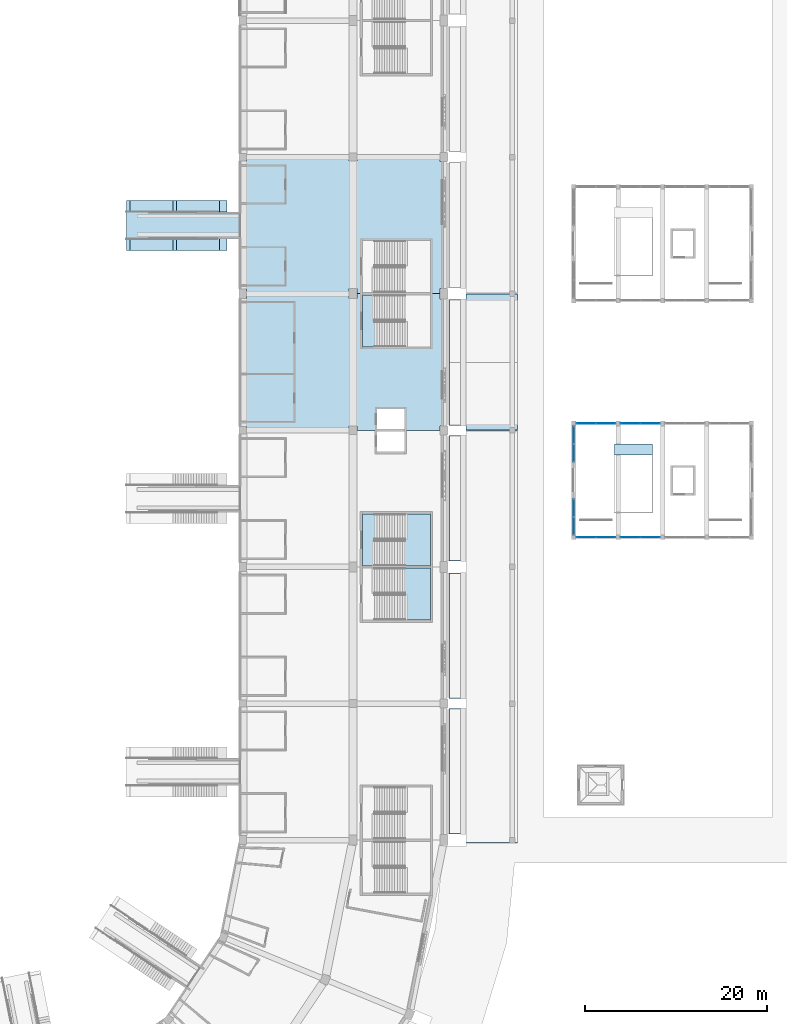
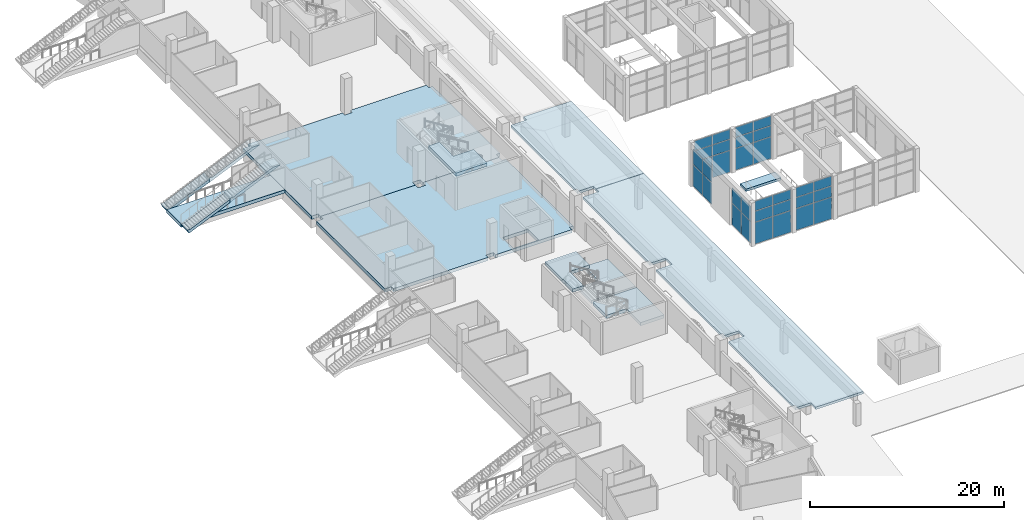
# One storey, part 18 of 175: 32 plates, 14 slabs, 9 elements without a shape of their own.
"""IFC4 building model written with IfcOpenShell, lengths in metres."""

from ifc_helpers import new_model, si_unit, direction, frame, origin, origin_2d, place, context, subcontext, project, spatial, polyline, rectangle, outline, extrude, material, layer, layer_set, type_object, element, aggregate, save


model = new_model("IFC4")

# Units and contexts
model_context = context("Model", 3, precision=1e-05, world=origin(), true_north=direction((0.0, 1.0)))
body_context = subcontext(model_context, "Body", "Model", "MODEL_VIEW")
ifc_project = project(units=[si_unit("LENGTHUNIT", "METRE"), si_unit("AREAUNIT", "SQUARE_METRE"), si_unit("VOLUMEUNIT", "CUBIC_METRE"), si_unit("PLANEANGLEUNIT", "RADIAN"), si_unit("MASSUNIT", "GRAM", prefix="KILO")], contexts=[model_context])

# Site, building, storey
site_placement = place(None, origin())
site = spatial("IfcSite", under=ifc_project, at=site_placement, CompositionType="ELEMENT")
building_placement = place(site_placement, origin())
building = spatial("IfcBuilding", under=site, at=building_placement, Name="Ogive Plaza Stadium", CompositionType="ELEMENT")
storey_placement = place(building_placement, origin())
storey = spatial("IfcBuildingStorey", under=building, at=storey_placement, Name="L00", CompositionType="ELEMENT", Elevation=0.0)

# Slabs
ifc_material_1 = material(Name="Concrete C40/50", Category="concrete")
ifc_layer_1 = layer(ifc_material_1, 0.52587890625)
ifc_layer_set_1 = layer_set([ifc_layer_1], Name="Concrete C40/50")
ifc_layer_2 = layer(ifc_material_1, 0.449951171875)
ifc_layer_set_2 = layer_set([ifc_layer_2], Name="Concrete C40/50")
slab_type_1 = type_object("IfcSlabType", Name="Aisle stair slab 1300", PredefinedType="USERDEFINED", material=ifc_layer_set_2)
slab_1_placement = place(storey_placement, frame((49.14990234375, 12.874755859375, 0.0), z_axis=(0.0, 0.0, 1.0), x_axis=(1.0, 0.0, 0.0)))
element("IfcSlab", 1, at=slab_1_placement, inside=storey, type_object=slab_type_1, material=ifc_layer_set_1, Name="Aisle stair SA03L slab 1", ObjectType="AISLE STAIR SLAB", PredefinedType="USERDEFINED", context=body_context, shape_type="SweptSolid", body=[
    extrude(outline(polyline([(0.0, 0.0), (0.37158203125, 0.0), (5.10009765625, 2.086181640625), (5.10009765625, 1.675048828125), (5.01220703125, 1.63623046875), (4.8623046875, 1.570068359375), (4.71240234375, 1.50390625), (4.562255859375, 1.437744140625), (4.412353515625, 1.37158203125), (4.26220703125, 1.305419921875), (4.1123046875, 1.2392578125), (3.96240234375, 1.173095703125), (3.812255859375, 1.10693359375), (3.662353515625, 1.040771484375), (3.51220703125, 0.974609375), (3.3623046875, 0.908447265625), (3.21240234375, 0.84228515625), (3.062255859375, 0.77587890625), (2.912353515625, 0.709716796875), (2.76220703125, 0.643798828125), (2.6123046875, 0.577392578125), (2.46240234375, 0.51123046875), (2.312255859375, 0.445068359375), (2.162353515625, 0.37890625), (2.01220703125, 0.312744140625), (1.8623046875, 0.24658203125), (1.71240234375, 0.180419921875), (1.562255859375, 0.1142578125), (1.412353515625, 0.048095703125), (1.26220703125, -0.01806640625), (1.1123046875, -0.084228515625), (0.96240234375, -0.150390625), (0.812255859375, -0.216552734375), (0.662353515625, -0.28271484375), (0.51220703125, -0.34912109375), (0.3623046875, -0.415283203125), (0.21240234375, -0.481201171875), (0.0, 0.0)])), frame((0.0, 0.624755859375, 0.0), z_axis=(0.0, -1.0, 0.0), x_axis=(1.0, 0.0, 0.0)), (0.0, 0.0, 1.0), 1.24951171875),
])
ifc_layer_3 = layer(ifc_material_1, 0.82373046875)
ifc_layer_set_3 = layer_set([ifc_layer_3], Name="Concrete C40/50")
slab_2_placement = place(storey_placement, frame((54.25, 12.89990234375, 0.0), z_axis=(0.0, 0.0, 1.0), x_axis=(1.0, 0.0, 0.0)))
element("IfcSlab", 2, at=slab_2_placement, inside=storey, type_object=slab_type_1, material=ifc_layer_set_3, Name="Aisle stair SA03L slab 2", ObjectType="AISLE STAIR SLAB", PredefinedType="USERDEFINED", context=body_context, shape_type="SweptSolid", body=[
    extrude(outline(polyline([(0.0, 2.25), (0.37158203125, 2.25), (5.10009765625, 4.336181640625), (5.949951171875, 4.336181640625), (5.949951171875, 4.300048828125), (5.85009765625, 4.255859375), (5.699951171875, 4.189697265625), (5.550048828125, 4.12353515625), (5.39990234375, 4.057373046875), (5.25, 3.9912109375), (5.10009765625, 3.925048828125), (4.949951171875, 3.85888671875), (4.800048828125, 3.79248046875), (4.64990234375, 3.7265625), (4.5, 3.660400390625), (4.35009765625, 3.593994140625), (4.199951171875, 3.52783203125), (4.050048828125, 3.4619140625), (3.89990234375, 3.3955078125), (3.75, 3.329345703125), (3.60009765625, 3.26318359375), (3.449951171875, 3.197021484375), (3.300048828125, 3.130859375), (3.14990234375, 3.064697265625), (3.0, 2.99853515625), (2.85009765625, 2.932373046875), (2.699951171875, 2.8662109375), (2.550048828125, 2.800048828125), (2.39990234375, 2.73388671875), (2.25, 2.66748046875), (2.10009765625, 2.6015625), (1.949951171875, 2.535400390625), (1.800048828125, 2.468994140625), (1.64990234375, 2.40283203125), (1.5, 2.3369140625), (1.35009765625, 2.2705078125), (1.199951171875, 2.204345703125), (1.050048828125, 2.13818359375), (0.89990234375, 2.072021484375), (0.75, 2.005859375), (0.60009765625, 1.939697265625), (0.449951171875, 1.87353515625), (0.300048828125, 1.807373046875), (0.14990234375, 1.7412109375), (0.0, 1.675048828125), (0.0, 2.25)])), frame((0.0, 0.64990234375, 0.0), z_axis=(0.0, -1.0, 0.0), x_axis=(1.0, 0.0, 0.0)), (0.0, 0.0, 1.0), 1.300048828125),
])
slab_3_placement = place(storey_placement, frame((49.14990234375, 17.125244140625, 0.0), z_axis=(0.0, 0.0, 1.0), x_axis=(1.0, 0.0, 0.0)))
element("IfcSlab", 3, at=slab_3_placement, inside=storey, type_object=slab_type_1, material=ifc_layer_set_1, Name="Aisle stair SA03R slab 1", ObjectType="AISLE STAIR SLAB", PredefinedType="USERDEFINED", context=body_context, shape_type="SweptSolid", body=[
    extrude(outline(polyline([(0.0, 0.0), (0.37158203125, 0.0), (5.10009765625, 2.086181640625), (5.10009765625, 1.675048828125), (5.01220703125, 1.63623046875), (4.8623046875, 1.570068359375), (4.71240234375, 1.50390625), (4.562255859375, 1.437744140625), (4.412353515625, 1.37158203125), (4.26220703125, 1.305419921875), (4.1123046875, 1.2392578125), (3.96240234375, 1.173095703125), (3.812255859375, 1.10693359375), (3.662353515625, 1.040771484375), (3.51220703125, 0.974609375), (3.3623046875, 0.908447265625), (3.21240234375, 0.84228515625), (3.062255859375, 0.77587890625), (2.912353515625, 0.709716796875), (2.76220703125, 0.643798828125), (2.6123046875, 0.577392578125), (2.46240234375, 0.51123046875), (2.312255859375, 0.445068359375), (2.162353515625, 0.37890625), (2.01220703125, 0.312744140625), (1.8623046875, 0.24658203125), (1.71240234375, 0.180419921875), (1.562255859375, 0.1142578125), (1.412353515625, 0.048095703125), (1.26220703125, -0.01806640625), (1.1123046875, -0.084228515625), (0.96240234375, -0.150390625), (0.812255859375, -0.216552734375), (0.662353515625, -0.28271484375), (0.51220703125, -0.34912109375), (0.3623046875, -0.415283203125), (0.21240234375, -0.481201171875), (0.0, 0.0)])), frame((0.0, 0.624755859375, 0.0), z_axis=(0.0, -1.0, 0.0), x_axis=(1.0, 0.0, 0.0)), (0.0, 0.0, 1.0), 1.24951171875),
])
slab_4_placement = place(storey_placement, frame((54.25, 17.10009765625, 0.0), z_axis=(0.0, 0.0, 1.0), x_axis=(1.0, 0.0, 0.0)))
element("IfcSlab", 4, at=slab_4_placement, inside=storey, type_object=slab_type_1, material=ifc_layer_set_3, Name="Aisle stair SA03R slab 2", ObjectType="AISLE STAIR SLAB", PredefinedType="USERDEFINED", context=body_context, shape_type="SweptSolid", body=[
    extrude(outline(polyline([(0.0, 2.25), (0.37158203125, 2.25), (5.10009765625, 4.336181640625), (5.949951171875, 4.336181640625), (5.949951171875, 4.300048828125), (5.85009765625, 4.255859375), (5.699951171875, 4.189697265625), (5.550048828125, 4.12353515625), (5.39990234375, 4.057373046875), (5.25, 3.9912109375), (5.10009765625, 3.925048828125), (4.949951171875, 3.85888671875), (4.800048828125, 3.79248046875), (4.64990234375, 3.7265625), (4.5, 3.660400390625), (4.35009765625, 3.593994140625), (4.199951171875, 3.52783203125), (4.050048828125, 3.4619140625), (3.89990234375, 3.3955078125), (3.75, 3.329345703125), (3.60009765625, 3.26318359375), (3.449951171875, 3.197021484375), (3.300048828125, 3.130859375), (3.14990234375, 3.064697265625), (3.0, 2.99853515625), (2.85009765625, 2.932373046875), (2.699951171875, 2.8662109375), (2.550048828125, 2.800048828125), (2.39990234375, 2.73388671875), (2.25, 2.66748046875), (2.10009765625, 2.6015625), (1.949951171875, 2.535400390625), (1.800048828125, 2.468994140625), (1.64990234375, 2.40283203125), (1.5, 2.3369140625), (1.35009765625, 2.2705078125), (1.199951171875, 2.204345703125), (1.050048828125, 2.13818359375), (0.89990234375, 2.072021484375), (0.75, 2.005859375), (0.60009765625, 1.939697265625), (0.449951171875, 1.87353515625), (0.300048828125, 1.807373046875), (0.14990234375, 1.7412109375), (0.0, 1.675048828125), (0.0, 2.25)])), frame((0.0, 0.64990234375, 0.0), z_axis=(0.0, -1.0, 0.0), x_axis=(1.0, 0.0, 0.0)), (0.0, 0.0, 1.0), 1.300048828125),
])
ifc_material_2 = material(Name="Concrete C40/50", Category="concrete")
ifc_layer_4 = layer(ifc_material_2, 0.300048828125)
ifc_layer_set_4 = layer_set([ifc_layer_4], Name="Concrete C40/50")
slab_type_2 = type_object("IfcSlabType", Name="Arcade roof slab 300", PredefinedType="ROOF", material=ifc_layer_set_4)
slab_5_placement = place(storey_placement, frame((0.0, 0.0, 3.800048828125)))
element("IfcSlab", 5, at=slab_5_placement, inside=storey, type_object=slab_type_2, Name="Arcade roof slab 2", PredefinedType="ROOF", context=body_context, shape_type="SweptSolid", body=[
    extrude(outline(polyline([(84.550048828125, -51.85009765625), (86.419921875, -51.85009765625), (86.419921875, -52.800048828125), (92.10009765625, -52.800048828125), (92.10009765625, -7.510009765625), (86.419921875, -7.510009765625), (86.419921875, -8.050048828125), (84.550048828125, -8.050048828125), (84.550048828125, -21.85009765625), (86.419921875, -21.85009765625), (86.419921875, -23.14990234375), (84.550048828125, -23.14990234375), (84.550048828125, -36.949951171875), (86.419921875, -36.949951171875), (86.419921875, -38.050048828125), (84.550048828125, -38.050048828125), (84.550048828125, -51.85009765625)])), origin(), (0.0, 0.0, 1.0), 0.300048828125),
])
ifc_material_3 = material(Name="Concrete C40/50", Category="concrete")
ifc_layer_5 = layer(ifc_material_3, 0.300048828125)
ifc_layer_set_5 = layer_set([ifc_layer_5], Name="Concrete C40/50")
slab_type_3 = type_object("IfcSlabType", Name="Escalator landing plate 300", PredefinedType="LANDING", material=ifc_layer_set_5)
slab_6_placement = place(storey_placement, frame((0.0, 0.0, -0.300048828125)))
element("IfcSlab", 6, at=slab_6_placement, inside=storey, type_object=slab_type_3, Name="Escalator landing plate", PredefinedType="LANDING", context=body_context, shape_type="SweptSolid", body=[
    extrude(outline(polyline([(102.699951171875, -10.199951171875), (106.89990234375, -10.199951171875), (106.89990234375, -9.0), (102.699951171875, -9.0), (102.699951171875, -10.199951171875)])), origin(), (0.0, 0.0, 1.0), 0.300048828125),
])

# Curtain wall, plates
ifc_material_4 = material(Name="Aluminium and laminated glass", Category="aluminium")
curtain_wall_type = type_object("IfcCurtainWallType", Name="Headhouse curtain wall", PredefinedType="NOTDEFINED", material=ifc_material_4)
curtain_wall_1_placement = place(storey_placement, origin())
curtain_wall_1 = element("IfcCurtainWall", 7, at=curtain_wall_1_placement, inside=storey, type_object=curtain_wall_type, Name="Headhouse 1 curtain wall", PredefinedType="NOTDEFINED")
ifc_material_5 = material(Name="Laminated glass", Category="glass")
ifc_layer_6 = layer(ifc_material_5, 0.028076171875)
ifc_layer_set_6 = layer_set([ifc_layer_6], Name="Headhouse glass panel 28")
plate_type = type_object("IfcPlateType", Name="Headhouse glass panel 28", PredefinedType="CURTAIN_PANEL", material=ifc_layer_set_6)
plate_1_placement = place(storey_placement, frame((99.608642578125, -19.25, 0.06005859375), z_axis=(0.0, 0.0, 1.0), x_axis=(1.0, 0.0, 0.0)))
plate_1 = element("IfcPlate", 8, at=plate_1_placement, type_object=plate_type, Name="HCW1A panel 1.1", PredefinedType="CURTAIN_PANEL", context=body_context, shape_type="SweptSolid", body=[
    extrude(rectangle(XDim=2.097412109375, YDim=0.028076171875, at=origin_2d()), origin(), (0.0, 0.0, 1.0), 2.7099609375),
])
plate_2_placement = place(storey_placement, frame((99.608642578125, -19.25, 2.830078125), z_axis=(0.0, 0.0, 1.0), x_axis=(1.0, 0.0, 0.0)))
plate_2 = element("IfcPlate", 9, at=plate_2_placement, type_object=plate_type, Name="HCW1A panel 1.2", PredefinedType="CURTAIN_PANEL", context=body_context, shape_type="SweptSolid", body=[
    extrude(rectangle(XDim=2.097412109375, YDim=0.028076171875, at=origin_2d()), origin(), (0.0, 0.0, 1.0), 1.340087890625),
])
plate_3_placement = place(storey_placement, frame((99.608642578125, -19.25, 4.22998046875), z_axis=(0.0, 0.0, 1.0), x_axis=(1.0, 0.0, 0.0)))
plate_3 = element("IfcPlate", 10, at=plate_3_placement, type_object=plate_type, Name="HCW1A panel 1.3", PredefinedType="CURTAIN_PANEL", context=body_context, shape_type="SweptSolid", body=[
    extrude(rectangle(XDim=2.097412109375, YDim=0.028076171875, at=origin_2d()), origin(), (0.0, 0.0, 1.0), 1.2099609375),
])
plate_4_placement = place(storey_placement, frame((101.766357421875, -19.25, 0.06005859375), z_axis=(0.0, 0.0, 1.0), x_axis=(1.0, 0.0, 0.0)))
plate_4 = element("IfcPlate", 11, at=plate_4_placement, type_object=plate_type, Name="HCW1A panel 2.1", PredefinedType="CURTAIN_PANEL", context=body_context, shape_type="SweptSolid", body=[
    extrude(rectangle(XDim=2.097412109375, YDim=0.028076171875, at=origin_2d()), origin(), (0.0, 0.0, 1.0), 2.7099609375),
])
plate_5_placement = place(storey_placement, frame((101.766357421875, -19.25, 2.830078125), z_axis=(0.0, 0.0, 1.0), x_axis=(1.0, 0.0, 0.0)))
plate_5 = element("IfcPlate", 12, at=plate_5_placement, type_object=plate_type, Name="HCW1A panel 2.2", PredefinedType="CURTAIN_PANEL", context=body_context, shape_type="SweptSolid", body=[
    extrude(rectangle(XDim=2.097412109375, YDim=0.028076171875, at=origin_2d()), origin(), (0.0, 0.0, 1.0), 1.340087890625),
])
plate_6_placement = place(storey_placement, frame((101.766357421875, -19.25, 4.22998046875), z_axis=(0.0, 0.0, 1.0), x_axis=(1.0, 0.0, 0.0)))
plate_6 = element("IfcPlate", 13, at=plate_6_placement, type_object=plate_type, Name="HCW1A panel 2.3", PredefinedType="CURTAIN_PANEL", context=body_context, shape_type="SweptSolid", body=[
    extrude(rectangle(XDim=2.097412109375, YDim=0.028076171875, at=origin_2d()), origin(), (0.0, 0.0, 1.0), 1.2099609375),
])
aggregate(curtain_wall_1, [plate_1, plate_2, plate_3, plate_4, plate_5, plate_6])

curtain_wall_2_placement = place(storey_placement, origin())
curtain_wall_2 = element("IfcCurtainWall", 14, at=curtain_wall_2_placement, inside=storey, type_object=curtain_wall_type, Name="Headhouse 1 curtain wall", PredefinedType="NOTDEFINED")
plate_7_placement = place(storey_placement, frame((104.483642578125, -19.25, 0.06005859375), z_axis=(0.0, 0.0, 1.0), x_axis=(1.0, 0.0, 0.0)))
plate_7 = element("IfcPlate", 15, at=plate_7_placement, type_object=plate_type, Name="HCW1A panel 1.1", PredefinedType="CURTAIN_PANEL", context=body_context, shape_type="SweptSolid", body=[
    extrude(rectangle(XDim=2.097412109375, YDim=0.028076171875, at=origin_2d()), origin(), (0.0, 0.0, 1.0), 2.7099609375),
])
plate_8_placement = place(storey_placement, frame((104.483642578125, -19.25, 2.830078125), z_axis=(0.0, 0.0, 1.0), x_axis=(1.0, 0.0, 0.0)))
plate_8 = element("IfcPlate", 16, at=plate_8_placement, type_object=plate_type, Name="HCW1A panel 1.2", PredefinedType="CURTAIN_PANEL", context=body_context, shape_type="SweptSolid", body=[
    extrude(rectangle(XDim=2.097412109375, YDim=0.028076171875, at=origin_2d()), origin(), (0.0, 0.0, 1.0), 1.340087890625),
])
plate_9_placement = place(storey_placement, frame((104.483642578125, -19.25, 4.22998046875), z_axis=(0.0, 0.0, 1.0), x_axis=(1.0, 0.0, 0.0)))
plate_9 = element("IfcPlate", 17, at=plate_9_placement, type_object=plate_type, Name="HCW1A panel 1.3", PredefinedType="CURTAIN_PANEL", context=body_context, shape_type="SweptSolid", body=[
    extrude(rectangle(XDim=2.097412109375, YDim=0.028076171875, at=origin_2d()), origin(), (0.0, 0.0, 1.0), 1.2099609375),
])
plate_10_placement = place(storey_placement, frame((106.641357421875, -19.25, 0.06005859375), z_axis=(0.0, 0.0, 1.0), x_axis=(1.0, 0.0, 0.0)))
plate_10 = element("IfcPlate", 18, at=plate_10_placement, type_object=plate_type, Name="HCW1A panel 2.1", PredefinedType="CURTAIN_PANEL", context=body_context, shape_type="SweptSolid", body=[
    extrude(rectangle(XDim=2.097412109375, YDim=0.028076171875, at=origin_2d()), origin(), (0.0, 0.0, 1.0), 2.7099609375),
])
plate_11_placement = place(storey_placement, frame((106.641357421875, -19.25, 2.830078125), z_axis=(0.0, 0.0, 1.0), x_axis=(1.0, 0.0, 0.0)))
plate_11 = element("IfcPlate", 19, at=plate_11_placement, type_object=plate_type, Name="HCW1A panel 2.2", PredefinedType="CURTAIN_PANEL", context=body_context, shape_type="SweptSolid", body=[
    extrude(rectangle(XDim=2.097412109375, YDim=0.028076171875, at=origin_2d()), origin(), (0.0, 0.0, 1.0), 1.340087890625),
])
plate_12_placement = place(storey_placement, frame((106.641357421875, -19.25, 4.22998046875), z_axis=(0.0, 0.0, 1.0), x_axis=(1.0, 0.0, 0.0)))
plate_12 = element("IfcPlate", 20, at=plate_12_placement, type_object=plate_type, Name="HCW1A panel 2.3", PredefinedType="CURTAIN_PANEL", context=body_context, shape_type="SweptSolid", body=[
    extrude(rectangle(XDim=2.097412109375, YDim=0.028076171875, at=origin_2d()), origin(), (0.0, 0.0, 1.0), 1.2099609375),
])
aggregate(curtain_wall_2, [plate_7, plate_8, plate_9, plate_10, plate_11, plate_12])

curtain_wall_3_placement = place(storey_placement, origin())
curtain_wall_3 = element("IfcCurtainWall", 21, at=curtain_wall_3_placement, inside=storey, type_object=curtain_wall_type, Name="Headhouse 1 curtain wall", PredefinedType="NOTDEFINED")
plate_13_placement = place(storey_placement, frame((99.608642578125, -6.75, 0.06005859375), z_axis=(0.0, 0.0, 1.0), x_axis=(1.0, 0.0, 0.0)))
plate_13 = element("IfcPlate", 22, at=plate_13_placement, type_object=plate_type, Name="HCW1A panel 1.1", PredefinedType="CURTAIN_PANEL", context=body_context, shape_type="SweptSolid", body=[
    extrude(rectangle(XDim=2.097412109375, YDim=0.028076171875, at=origin_2d()), origin(), (0.0, 0.0, 1.0), 2.7099609375),
])
plate_14_placement = place(storey_placement, frame((99.608642578125, -6.75, 2.830078125), z_axis=(0.0, 0.0, 1.0), x_axis=(1.0, 0.0, 0.0)))
plate_14 = element("IfcPlate", 23, at=plate_14_placement, type_object=plate_type, Name="HCW1A panel 1.2", PredefinedType="CURTAIN_PANEL", context=body_context, shape_type="SweptSolid", body=[
    extrude(rectangle(XDim=2.097412109375, YDim=0.028076171875, at=origin_2d()), origin(), (0.0, 0.0, 1.0), 1.340087890625),
])
plate_15_placement = place(storey_placement, frame((99.608642578125, -6.75, 4.22998046875), z_axis=(0.0, 0.0, 1.0), x_axis=(1.0, 0.0, 0.0)))
plate_15 = element("IfcPlate", 24, at=plate_15_placement, type_object=plate_type, Name="HCW1A panel 1.3", PredefinedType="CURTAIN_PANEL", context=body_context, shape_type="SweptSolid", body=[
    extrude(rectangle(XDim=2.097412109375, YDim=0.028076171875, at=origin_2d()), origin(), (0.0, 0.0, 1.0), 1.2099609375),
])
plate_16_placement = place(storey_placement, frame((101.766357421875, -6.75, 0.06005859375), z_axis=(0.0, 0.0, 1.0), x_axis=(1.0, 0.0, 0.0)))
plate_16 = element("IfcPlate", 25, at=plate_16_placement, type_object=plate_type, Name="HCW1A panel 2.1", PredefinedType="CURTAIN_PANEL", context=body_context, shape_type="SweptSolid", body=[
    extrude(rectangle(XDim=2.097412109375, YDim=0.028076171875, at=origin_2d()), origin(), (0.0, 0.0, 1.0), 2.7099609375),
])
plate_17_placement = place(storey_placement, frame((101.766357421875, -6.75, 2.830078125), z_axis=(0.0, 0.0, 1.0), x_axis=(1.0, 0.0, 0.0)))
plate_17 = element("IfcPlate", 26, at=plate_17_placement, type_object=plate_type, Name="HCW1A panel 2.2", PredefinedType="CURTAIN_PANEL", context=body_context, shape_type="SweptSolid", body=[
    extrude(rectangle(XDim=2.097412109375, YDim=0.028076171875, at=origin_2d()), origin(), (0.0, 0.0, 1.0), 1.340087890625),
])
plate_18_placement = place(storey_placement, frame((101.766357421875, -6.75, 4.22998046875), z_axis=(0.0, 0.0, 1.0), x_axis=(1.0, 0.0, 0.0)))
plate_18 = element("IfcPlate", 27, at=plate_18_placement, type_object=plate_type, Name="HCW1A panel 2.3", PredefinedType="CURTAIN_PANEL", context=body_context, shape_type="SweptSolid", body=[
    extrude(rectangle(XDim=2.097412109375, YDim=0.028076171875, at=origin_2d()), origin(), (0.0, 0.0, 1.0), 1.2099609375),
])
aggregate(curtain_wall_3, [plate_13, plate_14, plate_15, plate_16, plate_17, plate_18])

curtain_wall_4_placement = place(storey_placement, origin())
curtain_wall_4 = element("IfcCurtainWall", 28, at=curtain_wall_4_placement, inside=storey, type_object=curtain_wall_type, Name="Headhouse 1 curtain wall", PredefinedType="NOTDEFINED")
plate_19_placement = place(storey_placement, frame((104.483642578125, -6.75, 0.06005859375), z_axis=(0.0, 0.0, 1.0), x_axis=(1.0, 0.0, 0.0)))
plate_19 = element("IfcPlate", 29, at=plate_19_placement, type_object=plate_type, Name="HCW1A panel 1.1", PredefinedType="CURTAIN_PANEL", context=body_context, shape_type="SweptSolid", body=[
    extrude(rectangle(XDim=2.097412109375, YDim=0.028076171875, at=origin_2d()), origin(), (0.0, 0.0, 1.0), 2.7099609375),
])
plate_20_placement = place(storey_placement, frame((104.483642578125, -6.75, 2.830078125), z_axis=(0.0, 0.0, 1.0), x_axis=(1.0, 0.0, 0.0)))
plate_20 = element("IfcPlate", 30, at=plate_20_placement, type_object=plate_type, Name="HCW1A panel 1.2", PredefinedType="CURTAIN_PANEL", context=body_context, shape_type="SweptSolid", body=[
    extrude(rectangle(XDim=2.097412109375, YDim=0.028076171875, at=origin_2d()), origin(), (0.0, 0.0, 1.0), 1.340087890625),
])
plate_21_placement = place(storey_placement, frame((104.483642578125, -6.75, 4.22998046875), z_axis=(0.0, 0.0, 1.0), x_axis=(1.0, 0.0, 0.0)))
plate_21 = element("IfcPlate", 31, at=plate_21_placement, type_object=plate_type, Name="HCW1A panel 1.3", PredefinedType="CURTAIN_PANEL", context=body_context, shape_type="SweptSolid", body=[
    extrude(rectangle(XDim=2.097412109375, YDim=0.028076171875, at=origin_2d()), origin(), (0.0, 0.0, 1.0), 1.2099609375),
])
plate_22_placement = place(storey_placement, frame((106.641357421875, -6.75, 0.06005859375), z_axis=(0.0, 0.0, 1.0), x_axis=(1.0, 0.0, 0.0)))
plate_22 = element("IfcPlate", 32, at=plate_22_placement, type_object=plate_type, Name="HCW1A panel 2.1", PredefinedType="CURTAIN_PANEL", context=body_context, shape_type="SweptSolid", body=[
    extrude(rectangle(XDim=2.097412109375, YDim=0.028076171875, at=origin_2d()), origin(), (0.0, 0.0, 1.0), 2.7099609375),
])
plate_23_placement = place(storey_placement, frame((106.641357421875, -6.75, 2.830078125), z_axis=(0.0, 0.0, 1.0), x_axis=(1.0, 0.0, 0.0)))
plate_23 = element("IfcPlate", 33, at=plate_23_placement, type_object=plate_type, Name="HCW1A panel 2.2", PredefinedType="CURTAIN_PANEL", context=body_context, shape_type="SweptSolid", body=[
    extrude(rectangle(XDim=2.097412109375, YDim=0.028076171875, at=origin_2d()), origin(), (0.0, 0.0, 1.0), 1.340087890625),
])
plate_24_placement = place(storey_placement, frame((106.641357421875, -6.75, 4.22998046875), z_axis=(0.0, 0.0, 1.0), x_axis=(1.0, 0.0, 0.0)))
plate_24 = element("IfcPlate", 34, at=plate_24_placement, type_object=plate_type, Name="HCW1A panel 2.3", PredefinedType="CURTAIN_PANEL", context=body_context, shape_type="SweptSolid", body=[
    extrude(rectangle(XDim=2.097412109375, YDim=0.028076171875, at=origin_2d()), origin(), (0.0, 0.0, 1.0), 1.2099609375),
])
aggregate(curtain_wall_4, [plate_19, plate_20, plate_21, plate_22, plate_23, plate_24])

curtain_wall_5_placement = place(storey_placement, origin())
curtain_wall_5 = element("IfcCurtainWall", 35, at=curtain_wall_5_placement, inside=storey, type_object=curtain_wall_type, Name="Headhouse 1 curtain wall", PredefinedType="NOTDEFINED")
plate_25_placement = place(storey_placement, frame((98.25, -17.985107421875, 0.06005859375), z_axis=(0.0, 0.0, 1.0), x_axis=(0.0, 1.0, 0.0)))
plate_25 = element("IfcPlate", 36, at=plate_25_placement, type_object=plate_type, Name="HCW1B panel 1.1", PredefinedType="CURTAIN_PANEL", context=body_context, shape_type="SweptSolid", body=[
    extrude(rectangle(XDim=1.909912109375, YDim=0.028076171875, at=origin_2d()), origin(), (0.0, 0.0, 1.0), 2.7099609375),
])
plate_26_placement = place(storey_placement, frame((98.25, -17.985107421875, 2.830078125), z_axis=(0.0, 0.0, 1.0), x_axis=(0.0, 1.0, 0.0)))
plate_26 = element("IfcPlate", 37, at=plate_26_placement, type_object=plate_type, Name="HCW1B panel 1.2", PredefinedType="CURTAIN_PANEL", context=body_context, shape_type="SweptSolid", body=[
    extrude(rectangle(XDim=1.909912109375, YDim=0.028076171875, at=origin_2d()), origin(), (0.0, 0.0, 1.0), 1.909912109375),
])
plate_27_placement = place(storey_placement, frame((98.25, -16.014892578125, 0.06005859375), z_axis=(0.0, 0.0, 1.0), x_axis=(0.0, 1.0, 0.0)))
plate_27 = element("IfcPlate", 38, at=plate_27_placement, type_object=plate_type, Name="HCW1B panel 2.1", PredefinedType="CURTAIN_PANEL", context=body_context, shape_type="SweptSolid", body=[
    extrude(rectangle(XDim=1.909912109375, YDim=0.028076171875, at=origin_2d()), origin(), (0.0, 0.0, 1.0), 2.7099609375),
])
plate_28_placement = place(storey_placement, frame((98.25, -16.014892578125, 2.830078125), z_axis=(0.0, 0.0, 1.0), x_axis=(0.0, 1.0, 0.0)))
plate_28 = element("IfcPlate", 39, at=plate_28_placement, type_object=plate_type, Name="HCW1B panel 2.2", PredefinedType="CURTAIN_PANEL", context=body_context, shape_type="SweptSolid", body=[
    extrude(rectangle(XDim=1.909912109375, YDim=0.028076171875, at=origin_2d()), origin(), (0.0, 0.0, 1.0), 1.909912109375),
])
aggregate(curtain_wall_5, [plate_25, plate_26, plate_27, plate_28])

curtain_wall_6_placement = place(storey_placement, origin())
curtain_wall_6 = element("IfcCurtainWall", 40, at=curtain_wall_6_placement, inside=storey, type_object=curtain_wall_type, Name="Headhouse 1 curtain wall", PredefinedType="NOTDEFINED")
plate_29_placement = place(storey_placement, frame((98.25, -9.985107421875, 0.06005859375), z_axis=(0.0, 0.0, 1.0), x_axis=(0.0, 1.0, 0.0)))
plate_29 = element("IfcPlate", 41, at=plate_29_placement, type_object=plate_type, Name="HCW1B panel 1.1", PredefinedType="CURTAIN_PANEL", context=body_context, shape_type="SweptSolid", body=[
    extrude(rectangle(XDim=1.909912109375, YDim=0.028076171875, at=origin_2d()), origin(), (0.0, 0.0, 1.0), 2.7099609375),
])
plate_30_placement = place(storey_placement, frame((98.25, -9.985107421875, 2.830078125), z_axis=(0.0, 0.0, 1.0), x_axis=(0.0, 1.0, 0.0)))
plate_30 = element("IfcPlate", 42, at=plate_30_placement, type_object=plate_type, Name="HCW1B panel 1.2", PredefinedType="CURTAIN_PANEL", context=body_context, shape_type="SweptSolid", body=[
    extrude(rectangle(XDim=1.909912109375, YDim=0.028076171875, at=origin_2d()), origin(), (0.0, 0.0, 1.0), 1.909912109375),
])
plate_31_placement = place(storey_placement, frame((98.25, -8.014892578125, 0.06005859375), z_axis=(0.0, 0.0, 1.0), x_axis=(0.0, 1.0, 0.0)))
plate_31 = element("IfcPlate", 43, at=plate_31_placement, type_object=plate_type, Name="HCW1B panel 2.1", PredefinedType="CURTAIN_PANEL", context=body_context, shape_type="SweptSolid", body=[
    extrude(rectangle(XDim=1.909912109375, YDim=0.028076171875, at=origin_2d()), origin(), (0.0, 0.0, 1.0), 2.7099609375),
])
plate_32_placement = place(storey_placement, frame((98.25, -8.014892578125, 2.830078125), z_axis=(0.0, 0.0, 1.0), x_axis=(0.0, 1.0, 0.0)))
plate_32 = element("IfcPlate", 44, at=plate_32_placement, type_object=plate_type, Name="HCW1B panel 2.2", PredefinedType="CURTAIN_PANEL", context=body_context, shape_type="SweptSolid", body=[
    extrude(rectangle(XDim=1.909912109375, YDim=0.028076171875, at=origin_2d()), origin(), (0.0, 0.0, 1.0), 1.909912109375),
])
aggregate(curtain_wall_6, [plate_29, plate_30, plate_31, plate_32])

# Slabs
ifc_material_6 = material(Name="Concrete C40/50", Category="concrete")
ifc_layer_7 = layer(ifc_material_6, 0.300048828125)
ifc_layer_set_7 = layer_set([ifc_layer_7], Name="Concrete C40/50")
slab_type_4 = type_object("IfcSlabType", Name="Porch roof slab 300", PredefinedType="ROOF", material=ifc_layer_set_7)
slab_7_placement = place(storey_placement, frame((0.0, 0.0, 3.800048828125)))
element("IfcSlab", 45, at=slab_7_placement, inside=storey, type_object=slab_type_4, Name="Porch roof slab 1", PredefinedType="ROOF", context=body_context, shape_type="SweptSolid", body=[
    extrude(outline(polyline([(86.419921875, -6.949951171875), (86.419921875, -7.489990234375), (92.10009765625, -7.489990234375), (92.10009765625, 7.489990234375), (86.419921875, 7.489990234375), (86.419921875, 6.85009765625), (84.550048828125, 6.85009765625), (84.550048828125, -6.949951171875), (86.419921875, -6.949951171875)])), origin(), (0.0, 0.0, 1.0), 0.300048828125),
])
ifc_material_7 = material(Name="Concrete C40/50", Category="concrete")
ifc_layer_8 = layer(ifc_material_7, 0.409912109375)
ifc_layer_set_8 = layer_set([ifc_layer_8], Name="Concrete C40/50")
slab_type_5 = type_object("IfcSlabType", Name="RC floor slab 410", PredefinedType="FLOOR", material=ifc_layer_set_8)
slab_8_placement = place(storey_placement, frame((0.0, 0.0, -0.409912109375)))
element("IfcSlab", 46, at=slab_8_placement, inside=storey, type_object=slab_type_5, Name="Floor slab L00 B03", PredefinedType="FLOOR", context=body_context, shape_type="SweptSolid", body=[
    extrude(outline(polyline([(73.550048828125, 7.5), (73.550048828125, 8.050048828125), (74.449951171875, 8.050048828125), (74.449951171875, 7.5), (83.550048828125, 7.5), (83.550048828125, 8.10009765625), (84.0, 8.10009765625), (84.0, 22.0), (83.550048828125, 22.0), (83.550048828125, 22.5), (74.449951171875, 22.5), (74.449951171875, 22.050048828125), (73.550048828125, 22.050048828125), (73.550048828125, 22.5), (62.300048828125, 22.5), (62.300048828125, 22.10009765625), (61.5, 22.10009765625), (61.5, 8.0), (62.300048828125, 8.0), (62.300048828125, 7.5), (73.550048828125, 7.5)])), origin(), (0.0, 0.0, 1.0), 0.409912109375),
])
slab_9_placement = place(storey_placement, frame((0.0, 0.0, -0.409912109375)))
element("IfcSlab", 47, at=slab_9_placement, inside=storey, type_object=slab_type_5, Name="Floor slab L00 B04", PredefinedType="FLOOR", context=body_context, shape_type="SweptSolid", body=[
    extrude(outline(polyline([(73.550048828125, -7.5), (73.550048828125, -7.050048828125), (74.449951171875, -7.050048828125), (74.449951171875, -7.5), (83.550048828125, -7.5), (83.550048828125, -7.0), (84.0, -7.0), (84.0, 6.89990234375), (83.550048828125, 6.89990234375), (83.550048828125, 7.5), (74.449951171875, 7.5), (74.449951171875, 6.949951171875), (73.550048828125, 6.949951171875), (73.550048828125, 7.5), (62.300048828125, 7.5), (62.300048828125, 7.0), (61.5, 7.0), (61.5, -7.10009765625), (62.300048828125, -7.10009765625), (62.300048828125, -7.5), (73.550048828125, -7.5)]), holes=[polyline([(76.64990234375, -7.375), (79.64990234375, -7.375), (79.64990234375, -5.175048828125), (76.64990234375, -5.175048828125), (76.64990234375, -7.375)])]), origin(), (0.0, 0.0, 1.0), 0.409912109375),
])

# Stair, slab
ifc_material_8 = material(Name="Concrete C40/50", Category="concrete")
stair_type = type_object("IfcStairType", Name="Exit stair", PredefinedType="STRAIGHT_RUN_STAIR", material=ifc_material_8)
stair_1_placement = place(storey_placement, origin())
stair_1 = element("IfcStair", 48, at=stair_1_placement, inside=storey, type_object=stair_type, Name="Exit stair ST04A L00 to L01", PredefinedType="STRAIGHT_RUN_STAIR")
ifc_material_9 = material(Name="Concrete C40/50", Category="concrete")
ifc_layer_9 = layer(ifc_material_9, 0.39990234375)
ifc_layer_set_9 = layer_set([ifc_layer_9], Name="Concrete C40/50")
slab_type_6 = type_object("IfcSlabType", Name="Stair landing", PredefinedType="LANDING", material=ifc_layer_set_9)
slab_10_placement = place(storey_placement, frame((0.0, 0.0, 4.10009765625)))
slab_10 = element("IfcSlab", 49, at=slab_10_placement, type_object=slab_type_6, Name="ST04A landing 2", PredefinedType="LANDING", context=body_context, shape_type="SweptSolid", body=[
    extrude(outline(polyline([(78.75, 4.47509765625), (78.75, 1.675048828125), (76.35009765625, 1.675048828125), (75.050048828125, 1.675048828125), (75.050048828125, 7.375), (76.35009765625, 7.375), (76.35009765625, 4.47509765625), (78.75, 4.47509765625)])), origin(), (0.0, 0.0, 1.0), 0.39990234375),
])
aggregate(stair_1, [slab_10])

stair_2_placement = place(storey_placement, origin())
stair_2 = element("IfcStair", 50, at=stair_2_placement, inside=storey, type_object=stair_type, Name="Exit stair ST06A L00 to L01", PredefinedType="STRAIGHT_RUN_STAIR")
slab_11_placement = place(storey_placement, frame((0.0, 0.0, 1.85009765625)))
slab_11 = element("IfcSlab", 51, at=slab_11_placement, type_object=slab_type_6, Name="ST06A landing 1", PredefinedType="LANDING", context=body_context, shape_type="SweptSolid", body=[
    extrude(outline(polyline([(82.510009765625, -22.625), (82.510009765625, -28.324951171875), (79.7099609375, -28.324951171875), (79.7099609375, -25.425048828125), (77.31005859375, -25.425048828125), (77.31005859375, -22.625), (79.7099609375, -22.625), (82.510009765625, -22.625)])), origin(), (0.0, 0.0, 1.0), 0.39990234375),
])
aggregate(stair_2, [slab_11])

# Stair, slabs
stair_3_placement = place(storey_placement, origin())
stair_3 = element("IfcStair", 52, at=stair_3_placement, inside=storey, type_object=stair_type, Name="Exit stair ST06B L00 to L01", PredefinedType="STRAIGHT_RUN_STAIR")
slab_12_placement = place(storey_placement, frame((0.0, 0.0, 1.85009765625)))
slab_12 = element("IfcSlab", 53, at=slab_12_placement, type_object=slab_type_6, Name="ST06B landing 1", PredefinedType="LANDING", context=body_context, shape_type="SweptSolid", body=[
    extrude(outline(polyline([(77.31005859375, -22.375), (77.31005859375, -19.574951171875), (79.7099609375, -19.574951171875), (79.7099609375, -16.675048828125), (82.510009765625, -16.675048828125), (82.510009765625, -22.375), (79.7099609375, -22.375), (77.31005859375, -22.375)])), origin(), (0.0, 0.0, 1.0), 0.39990234375),
])
slab_13_placement = place(storey_placement, frame((0.0, 0.0, 4.10009765625)))
slab_13 = element("IfcSlab", 54, at=slab_13_placement, type_object=slab_type_6, Name="ST06B landing 2", PredefinedType="LANDING", context=body_context, shape_type="SweptSolid", body=[
    extrude(outline(polyline([(76.35009765625, -22.375), (75.050048828125, -22.375), (75.050048828125, -16.675048828125), (76.35009765625, -16.675048828125), (78.75, -16.675048828125), (78.75, -19.47509765625), (76.35009765625, -19.47509765625), (76.35009765625, -22.375)])), origin(), (0.0, 0.0, 1.0), 0.39990234375),
])
aggregate(stair_3, [slab_12, slab_13])

# Slab
ifc_material_10 = material(Name="Concrete C40/50", Category="concrete")
ifc_layer_10 = layer(ifc_material_10, 0.409912109375)
ifc_layer_set_10 = layer_set([ifc_layer_10], Name="Concrete C40/50")
slab_type_7 = type_object("IfcSlabType", Name="Vomitory floor slab 410", PredefinedType="FLOOR", material=ifc_layer_set_10)
slab_14_placement = place(storey_placement, frame((0.0, 0.0, -0.409912109375)))
element("IfcSlab", 55, at=slab_14_placement, inside=storey, type_object=slab_type_7, Name="Vomitory floor B03", PredefinedType="FLOOR", context=body_context, shape_type="SweptSolid", body=[
    extrude(outline(polyline([(49.14990234375, 13.5), (49.14990234375, 16.5), (61.5, 16.5), (61.5, 13.5), (49.14990234375, 13.5)])), origin(), (0.0, 0.0, 1.0), 0.409912109375),
])

save(model, "model.ifc")
